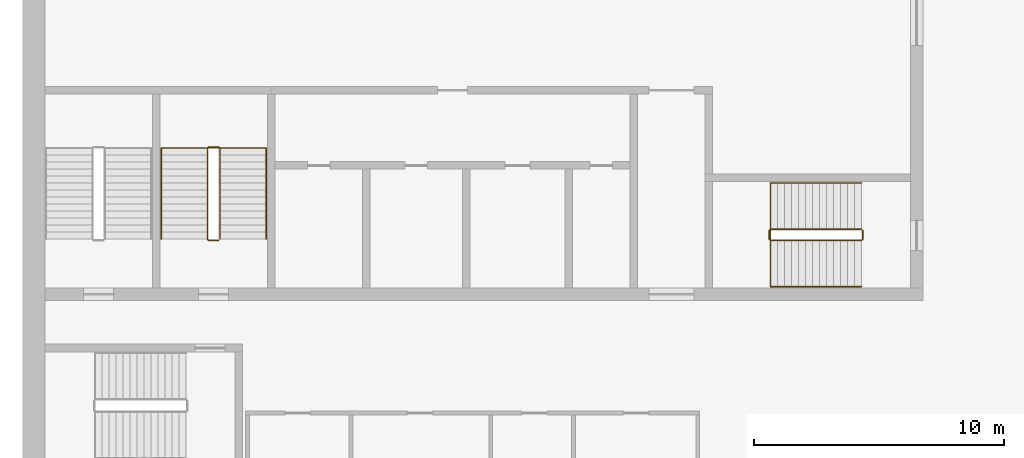
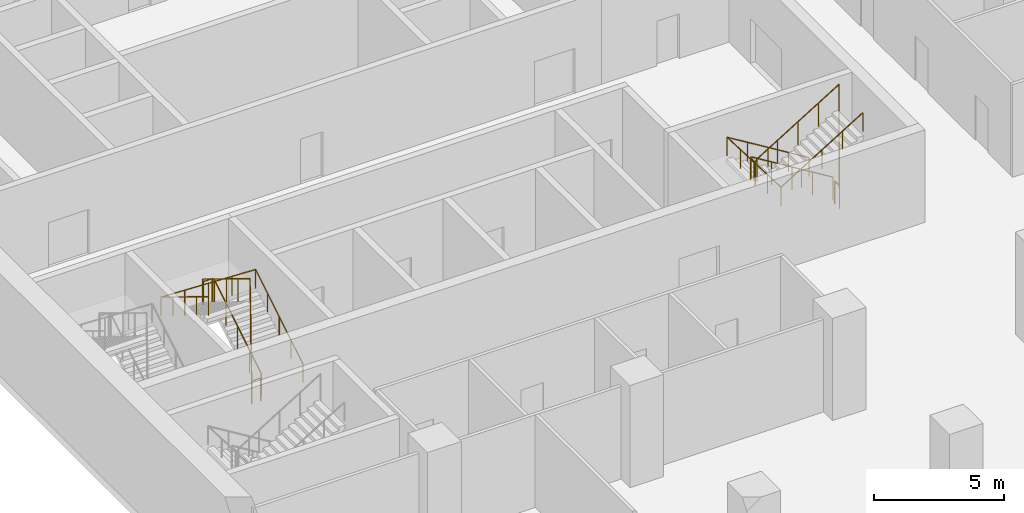
# One storey, part 29 of 32: 4 railings.
"""IFC4 building model written with IfcOpenShell, lengths in metres."""

from ifc_helpers import new_model, si_unit, direction, frame, origin, origin_2d, place, context, subcontext, project, spatial, circle, extrude, material, type_object, element, save


model = new_model("IFC4")

# Units and contexts
model_context = context("Model", 3, precision=1e-05, world=origin(), true_north=direction((0.0, 1.0)))
body_context = subcontext(model_context, "Body", "Model", "MODEL_VIEW")
ifc_project = project(units=[si_unit("LENGTHUNIT", "METRE"), si_unit("AREAUNIT", "SQUARE_METRE"), si_unit("VOLUMEUNIT", "CUBIC_METRE"), si_unit("PLANEANGLEUNIT", "RADIAN"), si_unit("MASSUNIT", "GRAM", prefix="KILO")], contexts=[model_context])

# Site, building, storey
site_placement = place(None, origin())
site = spatial("IfcSite", under=ifc_project, at=site_placement, CompositionType="ELEMENT")
building_placement = place(site_placement, origin())
building = spatial("IfcBuilding", under=site, at=building_placement, Name="Hunhe Ridgeline Campus", CompositionType="ELEMENT")
storey_placement = place(building_placement, frame((0.0, 0.0, 26.39990234375)))
storey = spatial("IfcBuildingStorey", under=building, at=storey_placement, Name="L05", CompositionType="ELEMENT", Elevation=26.39990234375)

# Railings
ifc_material_1 = material(Name="Stainless steel balustrade", Category="steel")
railing_type_1 = type_object("IfcRailingType", Name="Stair guard 1100 stainless", PredefinedType="GUARDRAIL", material=ifc_material_1)
railing_1_placement = place(storey_placement, frame((33.550048828125, 65.85009765625, 0.171630859375)))
element("IfcRailing", 1, at=railing_1_placement, inside=storey, type_object=railing_type_1, Name="L05 stair S2 guard", PredefinedType="GUARDRAIL", context=body_context, shape_type="SweptSolid", body=[
    extrude(circle(Radius=0.02392578125, at=origin_2d()), frame((0.0, 0.0, 1.076171875), z_axis=(-0.852865859571, 0.0, 0.52213008492), x_axis=(0.0, -1.0, 0.0)), (0.0, 0.0, 1.0), 4.26806640625),
    extrude(circle(Radius=0.02392578125, at=origin_2d()), frame((-3.64013671875, 0.0, 3.3046875), z_axis=(-0.705375805398, -0.708833529934, 0.0), x_axis=(0.708833529934, -0.705375805398, 0.0)), (0.0, 0.0, 1.0), 0.070556640625),
    extrude(circle(Radius=0.02392578125, at=origin_2d()), frame((-3.68994140625, -0.050048828125, 3.3046875), z_axis=(0.0, -1.0, 0.0), x_axis=(1.0, 0.0, 0.0)), (0.0, 0.0, 1.0), 0.35009765625),
    extrude(circle(Radius=0.02392578125, at=origin_2d()), frame((-3.68994140625, -0.400146484375, 3.3046875), z_axis=(0.268689830376, -0.270006937388, 0.924609122178), x_axis=(0.708833529934, 0.705375805398, 0.0)), (0.0, 0.0, 1.0), 0.185302734375),
    extrude(circle(Radius=0.02392578125, at=origin_2d()), frame((-3.64013671875, -0.4501953125, 3.47607421875), z_axis=(0.852865859571, 0.0, 0.52213008492), x_axis=(0.0, 1.0, 0.0)), (0.0, 0.0, 1.0), 4.26806640625),
    extrude(circle(Radius=0.02392578125, at=origin_2d()), frame((0.0, -0.4501953125, 5.70458984375), z_axis=(0.010425599751, 0.010425599751, -0.999891300962), x_axis=(-0.707106781187, 0.707106781187, 0.0)), (0.0, 0.0, 1.0), 4.800537109375),
    extrude(circle(Radius=0.02392578125, at=origin_2d()), frame((0.050048828125, -0.400146484375, 0.904296875), z_axis=(0.0, 1.0, 0.0), x_axis=(-1.0, 0.0, 0.0)), (0.0, 0.0, 1.0), 0.35009765625),
    extrude(circle(Radius=0.02099609375, at=origin_2d()), origin(), (0.0, 0.0, 1.0), 1.052001953125),
    extrude(circle(Radius=0.02099609375, at=origin_2d()), frame((-0.91015625, 0.0, 0.55712890625)), (0.0, 0.0, 1.0), 1.052001953125),
    extrude(circle(Radius=0.02099609375, at=origin_2d()), frame((-1.820068359375, 0.0, 1.1142578125)), (0.0, 0.0, 1.0), 1.052001953125),
    extrude(circle(Radius=0.02099609375, at=origin_2d()), frame((-2.72998046875, 0.0, 1.67138671875)), (0.0, 0.0, 1.0), 1.052001953125),
    extrude(circle(Radius=0.02099609375, at=origin_2d()), frame((-3.64013671875, 0.0, 2.228515625)), (0.0, 0.0, 1.0), 1.052001953125),
    extrude(circle(Radius=0.02099609375, at=origin_2d()), frame((-3.68994140625, -0.050048828125, 2.228515625)), (0.0, 0.0, 1.0), 1.052001953125),
    extrude(circle(Radius=0.02099609375, at=origin_2d()), frame((-3.68994140625, -0.400146484375, 2.228515625)), (0.0, 0.0, 1.0), 1.052001953125),
    extrude(circle(Radius=0.02099609375, at=origin_2d()), frame((-3.64013671875, -0.4501953125, 2.39990234375)), (0.0, 0.0, 1.0), 1.052001953125),
    extrude(circle(Radius=0.02099609375, at=origin_2d()), frame((-2.72998046875, -0.4501953125, 2.95703125)), (0.0, 0.0, 1.0), 1.052001953125),
    extrude(circle(Radius=0.02099609375, at=origin_2d()), frame((-1.820068359375, -0.4501953125, 3.51416015625)), (0.0, 0.0, 1.0), 1.052001953125),
    extrude(circle(Radius=0.02099609375, at=origin_2d()), frame((-0.91015625, -0.4501953125, 4.0712890625)), (0.0, 0.0, 1.0), 1.052001953125),
    extrude(circle(Radius=0.02099609375, at=origin_2d()), frame((0.0, -0.4501953125, 4.62841796875)), (0.0, 0.0, 1.0), 1.052001953125),
    extrude(circle(Radius=0.02099609375, at=origin_2d()), frame((0.010009765625, -0.440185546875, 3.66845703125)), (0.0, 0.0, 1.0), 1.052001953125),
    extrude(circle(Radius=0.02099609375, at=origin_2d()), frame((0.02001953125, -0.43017578125, 2.70849609375)), (0.0, 0.0, 1.0), 1.052001953125),
    extrude(circle(Radius=0.02099609375, at=origin_2d()), frame((0.030029296875, -0.420166015625, 1.748291015625)), (0.0, 0.0, 1.0), 1.052001953125),
    extrude(circle(Radius=0.02099609375, at=origin_2d()), frame((0.0400390625, -0.41015625, 0.788330078125)), (0.0, 0.0, 1.0), 1.052001953125),
    extrude(circle(Radius=0.02099609375, at=origin_2d()), frame((0.050048828125, -0.400146484375, -0.171630859375)), (0.0, 0.0, 1.0), 1.052001953125),
    extrude(circle(Radius=0.02099609375, at=origin_2d()), frame((0.050048828125, -0.050048828125, -0.171630859375)), (0.0, 0.0, 1.0), 1.052001953125),
])
railing_2_placement = place(storey_placement, frame((7.89990234375, 65.449951171875, 0.171630859375)))
element("IfcRailing", 2, at=railing_2_placement, inside=storey, type_object=railing_type_1, Name="L05 stair S4 guard", PredefinedType="GUARDRAIL", context=body_context, shape_type="SweptSolid", body=[
    extrude(circle(Radius=0.02392578125, at=origin_2d()), frame((0.0, 0.0, 1.076171875), z_axis=(0.0, 0.852865859571, 0.52213008492), x_axis=(-1.0, 0.0, 0.0)), (0.0, 0.0, 1.0), 4.26806640625),
    extrude(circle(Radius=0.02392578125, at=origin_2d()), frame((0.0, 3.64013671875, 3.3046875), z_axis=(-0.707106781187, 0.707106781187, 0.0), x_axis=(-0.707106781187, -0.707106781187, 0.0)), (0.0, 0.0, 1.0), 0.0703125),
    extrude(circle(Radius=0.02392578125, at=origin_2d()), frame((-0.0498046875, 3.68994140625, 3.3046875), z_axis=(-1.0, 0.0, 0.0), x_axis=(0.0, -1.0, 0.0)), (0.0, 0.0, 1.0), 0.400146484375),
    extrude(circle(Radius=0.02392578125, at=origin_2d()), frame((-0.449951171875, 3.68994140625, 3.3046875), z_axis=(-0.270006937388, -0.268689830376, 0.924609122178), x_axis=(0.705375805398, -0.708833529934, 0.0)), (0.0, 0.0, 1.0), 0.185302734375),
    extrude(circle(Radius=0.02392578125, at=origin_2d()), frame((-0.5, 3.64013671875, 3.47607421875), z_axis=(0.0, -0.852865859571, 0.52213008492), x_axis=(1.0, 0.0, 0.0)), (0.0, 0.0, 1.0), 4.26806640625),
    extrude(circle(Radius=0.02392578125, at=origin_2d()), frame((-0.5, 0.0, 5.70458984375), z_axis=(0.010425599751, -0.010425599751, -0.999891300962), x_axis=(0.707106781187, 0.707106781187, 0.0)), (0.0, 0.0, 1.0), 4.800537109375),
    extrude(circle(Radius=0.02392578125, at=origin_2d()), frame((-0.449951171875, -0.050048828125, 0.904296875), z_axis=(1.0, 0.0, 0.0), x_axis=(0.0, 1.0, 0.0)), (0.0, 0.0, 1.0), 0.400146484375),
    extrude(circle(Radius=0.02099609375, at=origin_2d()), origin(), (0.0, 0.0, 1.0), 1.052001953125),
    extrude(circle(Radius=0.02099609375, at=origin_2d()), frame((0.0, 0.91015625, 0.55712890625)), (0.0, 0.0, 1.0), 1.052001953125),
    extrude(circle(Radius=0.02099609375, at=origin_2d()), frame((0.0, 1.820068359375, 1.1142578125)), (0.0, 0.0, 1.0), 1.052001953125),
    extrude(circle(Radius=0.02099609375, at=origin_2d()), frame((0.0, 2.72998046875, 1.67138671875)), (0.0, 0.0, 1.0), 1.052001953125),
    extrude(circle(Radius=0.02099609375, at=origin_2d()), frame((0.0, 3.64013671875, 2.228515625)), (0.0, 0.0, 1.0), 1.052001953125),
    extrude(circle(Radius=0.02099609375, at=origin_2d()), frame((-0.0498046875, 3.68994140625, 2.228515625)), (0.0, 0.0, 1.0), 1.052001953125),
    extrude(circle(Radius=0.02099609375, at=origin_2d()), frame((-0.449951171875, 3.68994140625, 2.228515625)), (0.0, 0.0, 1.0), 1.052001953125),
    extrude(circle(Radius=0.02099609375, at=origin_2d()), frame((-0.5, 3.64013671875, 2.39990234375)), (0.0, 0.0, 1.0), 1.052001953125),
    extrude(circle(Radius=0.02099609375, at=origin_2d()), frame((-0.5, 2.72998046875, 2.95703125)), (0.0, 0.0, 1.0), 1.052001953125),
    extrude(circle(Radius=0.02099609375, at=origin_2d()), frame((-0.5, 1.820068359375, 3.51416015625)), (0.0, 0.0, 1.0), 1.052001953125),
    extrude(circle(Radius=0.02099609375, at=origin_2d()), frame((-0.5, 0.91015625, 4.0712890625)), (0.0, 0.0, 1.0), 1.052001953125),
    extrude(circle(Radius=0.02099609375, at=origin_2d()), frame((-0.5, 0.0, 4.62841796875)), (0.0, 0.0, 1.0), 1.052001953125),
    extrude(circle(Radius=0.02099609375, at=origin_2d()), frame((-0.489990234375, -0.010009765625, 3.66845703125)), (0.0, 0.0, 1.0), 1.052001953125),
    extrude(circle(Radius=0.02099609375, at=origin_2d()), frame((-0.47998046875, -0.02001953125, 2.70849609375)), (0.0, 0.0, 1.0), 1.052001953125),
    extrude(circle(Radius=0.02099609375, at=origin_2d()), frame((-0.469970703125, -0.030029296875, 1.748291015625)), (0.0, 0.0, 1.0), 1.052001953125),
    extrude(circle(Radius=0.02099609375, at=origin_2d()), frame((-0.4599609375, -0.0400390625, 0.788330078125)), (0.0, 0.0, 1.0), 1.052001953125),
    extrude(circle(Radius=0.02099609375, at=origin_2d()), frame((-0.449951171875, -0.050048828125, -0.171630859375)), (0.0, 0.0, 1.0), 1.052001953125),
    extrude(circle(Radius=0.02099609375, at=origin_2d()), frame((-0.0498046875, -0.050048828125, -0.171630859375)), (0.0, 0.0, 1.0), 1.052001953125),
])
ifc_material_2 = material(Name="Stainless steel handrail", Category="steel")
railing_type_2 = type_object("IfcRailingType", Name="Stair handrail 900 stainless", PredefinedType="HANDRAIL", material=ifc_material_2)
railing_3_placement = place(storey_placement, frame((33.550048828125, 67.699951171875, 0.171630859375)))
element("IfcRailing", 3, at=railing_3_placement, inside=storey, type_object=railing_type_2, Name="L05 stair S2 handrail", PredefinedType="HANDRAIL", context=body_context, shape_type="SweptSolid", body=[
    extrude(circle(Radius=0.02392578125, at=origin_2d()), frame((0.0, 0.0, 0.8759765625), z_axis=(-0.852865859571, 0.0, 0.52213008492), x_axis=(0.0, -1.0, 0.0)), (0.0, 0.0, 1.0), 4.26806640625),
    extrude(circle(Radius=0.02392578125, at=origin_2d()), frame((-3.64013671875, 0.0, 3.1044921875), z_axis=(0.0, -0.999148286637, 0.04126380146), x_axis=(1.0, 0.0, 0.0)), (0.0, 0.0, 1.0), 4.1533203125),
    extrude(circle(Radius=0.02392578125, at=origin_2d()), frame((-3.64013671875, -4.14990234375, 3.27587890625), z_axis=(0.852865859571, 0.0, 0.52213008492), x_axis=(0.0, 1.0, 0.0)), (0.0, 0.0, 1.0), 4.26806640625),
    extrude(circle(Radius=0.02099609375, at=origin_2d()), origin(), (0.0, 0.0, 1.0), 0.851806640625),
    extrude(circle(Radius=0.02099609375, at=origin_2d()), frame((-0.91015625, 0.0, 0.55712890625)), (0.0, 0.0, 1.0), 0.851806640625),
    extrude(circle(Radius=0.02099609375, at=origin_2d()), frame((-1.820068359375, 0.0, 1.1142578125)), (0.0, 0.0, 1.0), 0.851806640625),
    extrude(circle(Radius=0.02099609375, at=origin_2d()), frame((-2.72998046875, 0.0, 1.67138671875)), (0.0, 0.0, 1.0), 0.851806640625),
    extrude(circle(Radius=0.02099609375, at=origin_2d()), frame((-3.64013671875, 0.0, 2.228515625)), (0.0, 0.0, 1.0), 0.851806640625),
    extrude(circle(Radius=0.02099609375, at=origin_2d()), frame((-3.64013671875, -1.03759765625, 2.271484375)), (0.0, 0.0, 1.0), 0.851806640625),
    extrude(circle(Radius=0.02099609375, at=origin_2d()), frame((-3.64013671875, -2.074951171875, 2.314208984375)), (0.0, 0.0, 1.0), 0.851806640625),
    extrude(circle(Radius=0.02099609375, at=origin_2d()), frame((-3.64013671875, -3.1123046875, 2.35693359375)), (0.0, 0.0, 1.0), 0.851806640625),
    extrude(circle(Radius=0.02099609375, at=origin_2d()), frame((-3.64013671875, -4.14990234375, 2.39990234375)), (0.0, 0.0, 1.0), 0.851806640625),
    extrude(circle(Radius=0.02099609375, at=origin_2d()), frame((-2.72998046875, -4.14990234375, 2.95703125)), (0.0, 0.0, 1.0), 0.851806640625),
    extrude(circle(Radius=0.02099609375, at=origin_2d()), frame((-1.820068359375, -4.14990234375, 3.51416015625)), (0.0, 0.0, 1.0), 0.851806640625),
    extrude(circle(Radius=0.02099609375, at=origin_2d()), frame((-0.91015625, -4.14990234375, 4.0712890625)), (0.0, 0.0, 1.0), 0.851806640625),
    extrude(circle(Radius=0.02099609375, at=origin_2d()), frame((0.0, -4.14990234375, 4.62841796875)), (0.0, 0.0, 1.0), 0.851806640625),
])
railing_4_placement = place(storey_placement, frame((9.75, 65.449951171875, 0.171630859375)))
element("IfcRailing", 4, at=railing_4_placement, inside=storey, type_object=railing_type_2, Name="L05 stair S4 handrail", PredefinedType="HANDRAIL", context=body_context, shape_type="SweptSolid", body=[
    extrude(circle(Radius=0.02392578125, at=origin_2d()), frame((0.0, 0.0, 0.8759765625), z_axis=(0.0, 0.852865859571, 0.52213008492), x_axis=(-1.0, 0.0, 0.0)), (0.0, 0.0, 1.0), 4.26806640625),
    extrude(circle(Radius=0.02392578125, at=origin_2d()), frame((0.0, 3.64013671875, 3.1044921875), z_axis=(-0.999168439458, 0.0, 0.040772902662), x_axis=(0.0, -1.0, 0.0)), (0.0, 0.0, 1.0), 4.203369140625),
    extrude(circle(Radius=0.02392578125, at=origin_2d()), frame((-4.199951171875, 3.64013671875, 3.27587890625), z_axis=(0.0, -0.852865859571, 0.52213008492), x_axis=(1.0, 0.0, 0.0)), (0.0, 0.0, 1.0), 4.26806640625),
    extrude(circle(Radius=0.02099609375, at=origin_2d()), origin(), (0.0, 0.0, 1.0), 0.851806640625),
    extrude(circle(Radius=0.02099609375, at=origin_2d()), frame((0.0, 0.91015625, 0.55712890625)), (0.0, 0.0, 1.0), 0.851806640625),
    extrude(circle(Radius=0.02099609375, at=origin_2d()), frame((0.0, 1.820068359375, 1.1142578125)), (0.0, 0.0, 1.0), 0.851806640625),
    extrude(circle(Radius=0.02099609375, at=origin_2d()), frame((0.0, 2.72998046875, 1.67138671875)), (0.0, 0.0, 1.0), 0.851806640625),
    extrude(circle(Radius=0.02099609375, at=origin_2d()), frame((0.0, 3.64013671875, 2.228515625)), (0.0, 0.0, 1.0), 0.851806640625),
    extrude(circle(Radius=0.02099609375, at=origin_2d()), frame((-1.050048828125, 3.64013671875, 2.271484375)), (0.0, 0.0, 1.0), 0.851806640625),
    extrude(circle(Radius=0.02099609375, at=origin_2d()), frame((-2.10009765625, 3.64013671875, 2.314208984375)), (0.0, 0.0, 1.0), 0.851806640625),
    extrude(circle(Radius=0.02099609375, at=origin_2d()), frame((-3.14990234375, 3.64013671875, 2.35693359375)), (0.0, 0.0, 1.0), 0.851806640625),
    extrude(circle(Radius=0.02099609375, at=origin_2d()), frame((-4.199951171875, 3.64013671875, 2.39990234375)), (0.0, 0.0, 1.0), 0.851806640625),
    extrude(circle(Radius=0.02099609375, at=origin_2d()), frame((-4.199951171875, 2.72998046875, 2.95703125)), (0.0, 0.0, 1.0), 0.851806640625),
    extrude(circle(Radius=0.02099609375, at=origin_2d()), frame((-4.199951171875, 1.820068359375, 3.51416015625)), (0.0, 0.0, 1.0), 0.851806640625),
    extrude(circle(Radius=0.02099609375, at=origin_2d()), frame((-4.199951171875, 0.91015625, 4.0712890625)), (0.0, 0.0, 1.0), 0.851806640625),
    extrude(circle(Radius=0.02099609375, at=origin_2d()), frame((-4.199951171875, 0.0, 4.62841796875)), (0.0, 0.0, 1.0), 0.851806640625),
])

save(model, "model.ifc")
